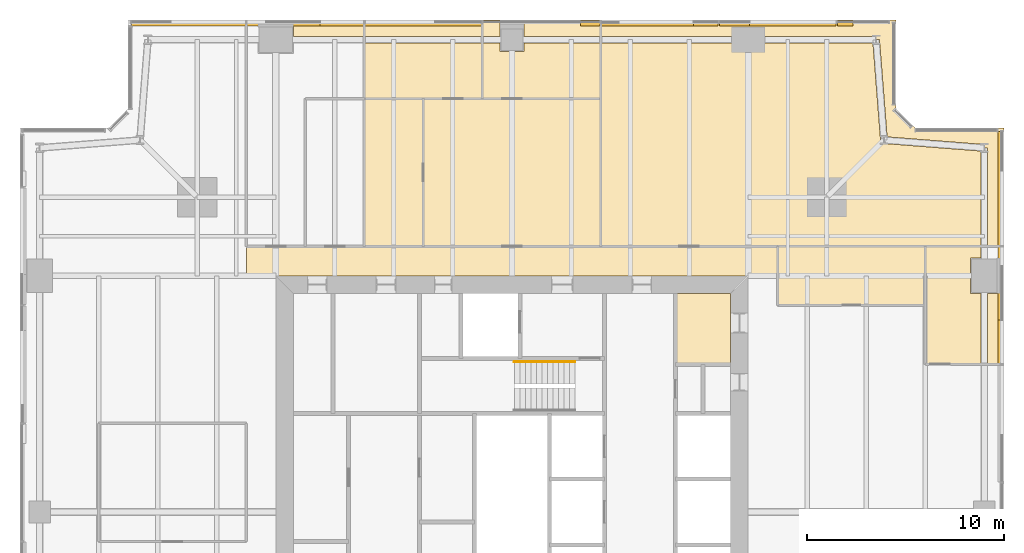
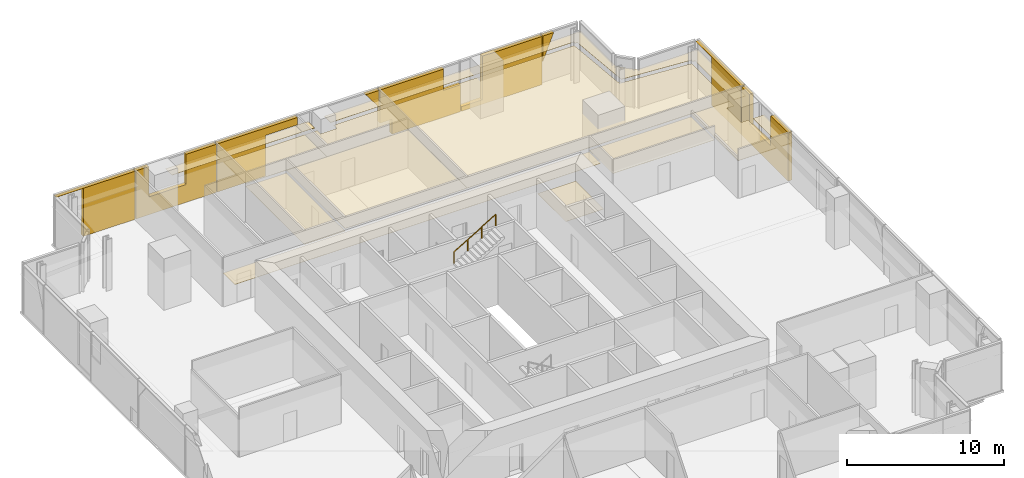
# One storey, part 14 of 14: 24 coverings, 1 railing.
"""IFC4 building model written with IfcOpenShell, lengths in metres."""

from ifc_helpers import new_model, si_unit, direction, frame, origin, origin_2d, place, context, subcontext, project, spatial, polyline, circle, outline, extrude, material, layer, layer_set, type_object, element, save


model = new_model("IFC4")

# Units and contexts
model_context = context("Model", 3, precision=1e-05, world=origin(), true_north=direction((0.0, 1.0)))
body_context = subcontext(model_context, "Body", "Model", "MODEL_VIEW")
ifc_project = project(units=[si_unit("LENGTHUNIT", "METRE"), si_unit("AREAUNIT", "SQUARE_METRE"), si_unit("VOLUMEUNIT", "CUBIC_METRE"), si_unit("PLANEANGLEUNIT", "RADIAN"), si_unit("MASSUNIT", "GRAM", prefix="KILO")], contexts=[model_context])

# Site, building, storey
site_placement = place(None, origin())
site = spatial("IfcSite", under=ifc_project, at=site_placement, CompositionType="ELEMENT")
building_placement = place(site_placement, origin())
building = spatial("IfcBuilding", under=site, at=building_placement, Name="Fenwick Lantern Interchange", CompositionType="ELEMENT")
storey_placement = place(building_placement, frame((0.0, 0.0, 205.800048828125)))
storey = spatial("IfcBuildingStorey", under=building, at=storey_placement, Name="L48", CompositionType="ELEMENT", Elevation=205.800048828125)

# Coverings
ifc_material_1 = material(Name="Mineral fibre acoustic tile on suspended grid")
ifc_layer_1 = layer(ifc_material_1, 0.02001953125)
ifc_layer_set_1 = layer_set([ifc_layer_1], Name="ACOUSTIC TILE CEILING 20")
covering_type_1 = type_object("IfcCoveringType", Name="ACOUSTIC TILE CEILING 20", PredefinedType="CEILING", material=ifc_layer_set_1)
covering_1_placement = place(storey_placement, frame((0.0, 0.0, 2.89990234375)))
element("IfcCovering", 1, at=covering_1_placement, inside=storey, type_object=covering_type_1, Name="Meeting room ceiling", PredefinedType="CEILING", context=body_context, shape_type="SweptSolid", body=[
    extrude(outline(polyline([(46.0, 32.5), (48.82763671875, 32.5), (48.82763671875, 36.10009765625), (48.300048828125, 36.10009765625), (48.300048828125, 37.89990234375), (48.82763671875, 37.89990234375), (48.82763671875, 38.5), (46.0, 38.5), (46.0, 32.5)])), origin(), (0.0, 0.0, 1.0), 0.02001953125),
])
covering_2_placement = place(storey_placement, frame((0.0, 0.0, 2.89990234375)))
element("IfcCovering", 2, at=covering_2_placement, inside=storey, type_object=covering_type_1, Name="Meeting room ceiling", PredefinedType="CEILING", context=body_context, shape_type="SweptSolid", body=[
    extrude(outline(polyline([(49.17236328125, 32.5), (50.0, 32.5), (50.0, 36.10009765625), (49.17236328125, 36.10009765625), (49.17236328125, 32.5)])), origin(), (0.0, 0.0, 1.0), 0.02001953125),
])
covering_3_placement = place(storey_placement, frame((0.0, 0.0, 2.89990234375)))
element("IfcCovering", 3, at=covering_3_placement, inside=storey, type_object=covering_type_1, Name="Meeting room ceiling", PredefinedType="CEILING", context=body_context, shape_type="SweptSolid", body=[
    extrude(outline(polyline([(29.5, 46.0), (29.5, 48.82763671875), (25.60009765625, 48.82763671875), (25.60009765625, 48.39990234375), (24.39990234375, 48.39990234375), (24.39990234375, 48.82763671875), (23.5, 48.82763671875), (23.5, 46.0), (29.5, 46.0)])), origin(), (0.0, 0.0, 1.0), 0.02001953125),
])
covering_4_placement = place(storey_placement, frame((0.0, 0.0, 2.89990234375)))
element("IfcCovering", 4, at=covering_4_placement, inside=storey, type_object=covering_type_1, Name="Meeting room ceiling", PredefinedType="CEILING", context=body_context, shape_type="SweptSolid", body=[
    extrude(outline(polyline([(29.5, 49.17236328125), (29.5, 50.0), (25.60009765625, 50.0), (25.60009765625, 49.17236328125), (29.5, 49.17236328125)])), origin(), (0.0, 0.0, 1.0), 0.02001953125),
])
covering_5_placement = place(storey_placement, frame((0.0, 0.0, 2.89990234375)))
element("IfcCovering", 5, at=covering_5_placement, inside=storey, type_object=covering_type_1, Name="Meeting room ceiling", PredefinedType="CEILING", context=body_context, shape_type="SweptSolid", body=[
    extrude(outline(polyline([(23.5, 50.0), (23.5, 49.17236328125), (24.39990234375, 49.17236328125), (24.39990234375, 50.0), (23.5, 50.0)])), origin(), (0.0, 0.0, 1.0), 0.02001953125),
])
covering_6_placement = place(storey_placement, frame((0.0, 0.0, 2.89990234375)))
element("IfcCovering", 6, at=covering_6_placement, inside=storey, type_object=covering_type_1, Name="Meeting room ceiling", PredefinedType="CEILING", context=body_context, shape_type="SweptSolid", body=[
    extrude(outline(polyline([(23.5, 46.0), (23.5, 48.82763671875), (17.5, 48.82763671875), (17.5, 46.0), (23.5, 46.0)])), origin(), (0.0, 0.0, 1.0), 0.02001953125),
])
covering_7_placement = place(storey_placement, frame((0.0, 0.0, 2.89990234375)))
element("IfcCovering", 7, at=covering_7_placement, inside=storey, type_object=covering_type_1, Name="Meeting room ceiling", PredefinedType="CEILING", context=body_context, shape_type="SweptSolid", body=[
    extrude(outline(polyline([(17.5, 50.0), (17.5, 49.17236328125), (23.5, 49.17236328125), (23.5, 50.0), (17.5, 50.0)])), origin(), (0.0, 0.0, 1.0), 0.02001953125),
])
covering_8_placement = place(storey_placement, frame((0.0, 0.0, 2.89990234375)))
element("IfcCovering", 8, at=covering_8_placement, inside=storey, type_object=covering_type_1, Name="Open office ceiling", PredefinedType="CEILING", context=body_context, shape_type="SweptSolid", body=[
    extrude(outline(polyline([(29.5, 38.5), (48.82763671875, 38.5), (48.82763671875, 43.340576171875), (43.886474609375, 43.72802734375), (43.89990234375, 43.89990234375), (43.72802734375, 43.886474609375), (43.340576171875, 48.82763671875), (37.0, 48.82763671875), (29.5, 48.82763671875), (29.5, 38.5)])), origin(), (0.0, 0.0, 1.0), 0.02001953125),
])
covering_9_placement = place(storey_placement, frame((0.0, 0.0, 2.89990234375)))
element("IfcCovering", 9, at=covering_9_placement, inside=storey, type_object=covering_type_1, Name="Open office ceiling", PredefinedType="CEILING", context=body_context, shape_type="SweptSolid", body=[
    extrude(outline(polyline([(44.5, 50.0), (29.5, 50.0), (29.5, 49.17236328125), (37.0, 49.17236328125), (43.5, 49.17236328125), (43.5, 49.0), (43.671875, 49.013427734375), (44.060302734375, 44.060302734375), (49.013427734375, 43.671875), (49.0, 43.5), (49.17236328125, 43.5), (49.17236328125, 38.5), (50.0, 38.5), (50.0, 44.5), (45.5, 44.5), (44.5, 45.5), (44.5, 50.0)])), origin(), (0.0, 0.0, 1.0), 0.02001953125),
])
covering_10_placement = place(storey_placement, frame((0.0, 0.0, 2.89990234375)))
element("IfcCovering", 10, at=covering_10_placement, inside=storey, type_object=covering_type_1, Name="Meeting room ceiling", PredefinedType="CEILING", context=body_context, shape_type="SweptSolid", body=[
    extrude(outline(polyline([(13.89990234375, 50.0), (13.89990234375, 49.17236328125), (17.5, 49.17236328125), (17.5, 50.0), (13.89990234375, 50.0)])), origin(), (0.0, 0.0, 1.0), 0.02001953125),
])
ifc_material_2 = material(Name="Granite cladding, warm grey flamed finish, on aluminium carrier frame", Category="masonry")
ifc_layer_2 = layer(ifc_material_2, 0.300048828125)
ifc_layer_set_2 = layer_set([ifc_layer_2], Name="BRACE CASING PANEL 300")
covering_type_2 = type_object("IfcCoveringType", Name="BRACE CASING PANEL 300", PredefinedType="CLADDING", material=ifc_layer_set_2)
covering_11_placement = place(storey_placement, frame((49.89990234375, 5.60009765625, 0.0), z_axis=(0.0, 0.0, 1.0), x_axis=(0.0, 1.0, 0.0)))
element("IfcCovering", 11, at=covering_11_placement, inside=storey, type_object=covering_type_2, Name="Brace casing 05 bay 05a", PredefinedType="CLADDING", context=body_context, shape_type="SweptSolid", body=[
    extrude(outline(polyline([(26.9326171875, 0.0), (32.867431640625, 0.0), (32.867431640625, 3.75), (31.89306640625, 3.75), (31.89306640625, 1.389892578125), (29.153076171875, 1.389892578125), (29.153076171875, 3.75), (26.9326171875, 3.75), (26.9326171875, 0.0)])), frame((0.0, 0.2001953125, 0.0), z_axis=(0.0, -1.0, 0.0), x_axis=(1.0, 0.0, 0.0)), (0.0, 0.0, 1.0), 0.300048828125),
])
covering_12_placement = place(storey_placement, frame((49.89990234375, 5.60009765625, 0.0), z_axis=(0.0, 0.0, 1.0), x_axis=(0.0, 1.0, 0.0)))
element("IfcCovering", 12, at=covering_12_placement, inside=storey, type_object=covering_type_2, Name="Brace casing 05 bay 06a", PredefinedType="CLADDING", context=body_context, shape_type="SweptSolid", body=[
    extrude(outline(polyline([(32.9326171875, 0.0), (36.734130859375, 0.0), (36.734130859375, 3.741455078125), (38.735107421875, 3.741455078125), (38.735107421875, 3.75), (32.9326171875, 3.75), (32.9326171875, 0.0)])), frame((0.0, 0.2001953125, 0.0), z_axis=(0.0, -1.0, 0.0), x_axis=(1.0, 0.0, 0.0)), (0.0, 0.0, 1.0), 0.300048828125),
])
covering_13_placement = place(storey_placement, frame((44.39990234375, 49.89990234375, 1.7685546875), z_axis=(0.0, 0.0, 1.0), x_axis=(-1.0, 0.0, 0.0)))
element("IfcCovering", 13, at=covering_13_placement, inside=storey, type_object=covering_type_2, Name="Brace casing 09 bay 00a", PredefinedType="CLADDING", context=body_context, shape_type="SweptSolid", body=[
    extrude(outline(polyline([(2.867431640625, 0.0), (2.867431640625, 1.9814453125), (2.0625, 1.9814453125), (2.867431640625, 0.0)])), frame((0.0, 0.2001953125, 0.0), z_axis=(0.0, -1.0, 0.0), x_axis=(1.0, 0.0, 0.0)), (0.0, 0.0, 1.0), 0.300048828125),
])
covering_14_placement = place(storey_placement, frame((44.39990234375, 49.89990234375, 0.0), z_axis=(0.0, 0.0, 1.0), x_axis=(-1.0, 0.0, 0.0)))
element("IfcCovering", 14, at=covering_14_placement, inside=storey, type_object=covering_type_2, Name="Brace casing 09 bay 01a", PredefinedType="CLADDING", context=body_context, shape_type="SweptSolid", body=[
    extrude(outline(polyline([(2.9326171875, 0.0), (8.867431640625, 0.0), (8.867431640625, 0.35302734375), (7.328125, 0.35302734375), (7.328125, 3.75), (2.9326171875, 3.75), (2.9326171875, 0.0)])), frame((0.0, 0.2001953125, 0.0), z_axis=(0.0, -1.0, 0.0), x_axis=(1.0, 0.0, 0.0)), (0.0, 0.0, 1.0), 0.300048828125),
])
covering_15_placement = place(storey_placement, frame((44.39990234375, 49.89990234375, 0.0), z_axis=(0.0, 0.0, 1.0), x_axis=(-1.0, 0.0, 0.0)))
element("IfcCovering", 15, at=covering_15_placement, inside=storey, type_object=covering_type_2, Name="Brace casing 09 bay 02a", PredefinedType="CLADDING", context=body_context, shape_type="SweptSolid", body=[
    extrude(outline(polyline([(8.9326171875, 0.0), (13.984375, 0.0), (13.984375, 1.17333984375), (14.867431640625, 1.17333984375), (14.867431640625, 3.75), (10.172607421875, 3.75), (10.172607421875, 2.090576171875), (8.9326171875, 2.090576171875), (8.9326171875, 0.0)])), frame((0.0, 0.2001953125, 0.0), z_axis=(0.0, -1.0, 0.0), x_axis=(1.0, 0.0, 0.0)), (0.0, 0.0, 1.0), 0.300048828125),
])
covering_16_placement = place(storey_placement, frame((44.39990234375, 49.89990234375, 2.437255859375), z_axis=(0.0, 0.0, 1.0), x_axis=(-1.0, 0.0, 0.0)))
element("IfcCovering", 16, at=covering_16_placement, inside=storey, type_object=covering_type_2, Name="Brace casing 09 bay 03a", PredefinedType="CLADDING", context=body_context, shape_type="SweptSolid", body=[
    extrude(outline(polyline([(14.9326171875, 0.0), (15.9169921875, 1.312744140625), (14.9326171875, 1.312744140625), (14.9326171875, 0.0)])), frame((0.0, 0.2001953125, 0.0), z_axis=(0.0, -1.0, 0.0), x_axis=(1.0, 0.0, 0.0)), (0.0, 0.0, 1.0), 0.300048828125),
])
covering_17_placement = place(storey_placement, frame((44.39990234375, 49.89990234375, 0.0), z_axis=(0.0, 0.0, 1.0), x_axis=(-1.0, 0.0, 0.0)))
element("IfcCovering", 17, at=covering_17_placement, inside=storey, type_object=covering_type_2, Name="Brace casing 09 bay 04a", PredefinedType="CLADDING", context=body_context, shape_type="SweptSolid", body=[
    extrude(outline(polyline([(23.3125, 0.0), (26.867431640625, 0.0), (26.867431640625, 3.75), (20.9326171875, 3.75), (20.9326171875, 3.17724609375), (23.3125, 3.17724609375), (23.3125, 0.0)])), frame((0.0, 0.2001953125, 0.0), z_axis=(0.0, -1.0, 0.0), x_axis=(1.0, 0.0, 0.0)), (0.0, 0.0, 1.0), 0.300048828125),
])
covering_18_placement = place(storey_placement, frame((44.39990234375, 49.89990234375, 0.0), z_axis=(0.0, 0.0, 1.0), x_axis=(-1.0, 0.0, 0.0)))
element("IfcCovering", 18, at=covering_18_placement, inside=storey, type_object=covering_type_2, Name="Brace casing 09 bay 05a", PredefinedType="CLADDING", context=body_context, shape_type="SweptSolid", body=[
    extrude(outline(polyline([(26.9326171875, 0.0), (32.867431640625, 0.0), (32.867431640625, 3.75), (31.89306640625, 3.75), (31.89306640625, 1.389892578125), (29.153076171875, 1.389892578125), (29.153076171875, 3.75), (26.9326171875, 3.75), (26.9326171875, 0.0)])), frame((0.0, 0.2001953125, 0.0), z_axis=(0.0, -1.0, 0.0), x_axis=(1.0, 0.0, 0.0)), (0.0, 0.0, 1.0), 0.300048828125),
])
covering_19_placement = place(storey_placement, frame((44.39990234375, 49.89990234375, 0.0), z_axis=(0.0, 0.0, 1.0), x_axis=(-1.0, 0.0, 0.0)))
element("IfcCovering", 19, at=covering_19_placement, inside=storey, type_object=covering_type_2, Name="Brace casing 09 bay 06a", PredefinedType="CLADDING", context=body_context, shape_type="SweptSolid", body=[
    extrude(outline(polyline([(32.9326171875, 0.0), (36.734130859375, 0.0), (36.734130859375, 3.741455078125), (38.735107421875, 3.741455078125), (38.735107421875, 3.75), (32.9326171875, 3.75), (32.9326171875, 0.0)])), frame((0.0, 0.2001953125, 0.0), z_axis=(0.0, -1.0, 0.0), x_axis=(1.0, 0.0, 0.0)), (0.0, 0.0, 1.0), 0.300048828125),
])

# Railing
ifc_material_3 = material(Name="Stainless steel handrail", Category="steel")
railing_type = type_object("IfcRailingType", Name="HANDRAIL 900", PredefinedType="HANDRAIL", material=ifc_material_3)
railing_placement = place(storey_placement, frame((25.1201171875, 32.6259765625, 2.16650390625)))
element("IfcRailing", 20, at=railing_placement, inside=storey, type_object=railing_type, Name="L48/STAIR/ST2/HR2", PredefinedType="HANDRAIL", context=body_context, shape_type="SweptSolid", body=[
    extrude(circle(Radius=0.02392578125, at=origin_2d()), frame((0.0, 0.0, 0.8759765625), z_axis=(0.859260807169, 0.0, 0.511537745687), x_axis=(0.0, 1.0, 0.0)), (0.0, 0.0, 1.0), 3.584228515625),
    extrude(circle(Radius=0.02099609375, at=origin_2d()), origin(), (0.0, 0.0, 1.0), 0.851806640625),
    extrude(circle(Radius=0.02099609375, at=origin_2d()), frame((1.026611328125, 0.0, 0.611083984375)), (0.0, 0.0, 1.0), 0.851806640625),
    extrude(circle(Radius=0.02099609375, at=origin_2d()), frame((2.05322265625, 0.0, 1.222412109375)), (0.0, 0.0, 1.0), 0.851806640625),
    extrude(circle(Radius=0.02099609375, at=origin_2d()), frame((3.079833984375, 0.0, 1.83349609375)), (0.0, 0.0, 1.0), 0.851806640625),
])

# Coverings
ifc_material_4 = material(Name="Moisture resistant gypsum board on suspended frame, painted")
ifc_layer_3 = layer(ifc_material_4, 0.014892578125)
ifc_layer_set_3 = layer_set([ifc_layer_3], Name="MOISTURE RESISTANT CEILING 15")
covering_type_3 = type_object("IfcCoveringType", Name="MOISTURE RESISTANT CEILING 15", PredefinedType="CEILING", material=ifc_layer_set_3)
covering_20_placement = place(storey_placement, frame((0.0, 0.0, 2.599853515625)))
element("IfcCovering", 21, at=covering_20_placement, inside=storey, type_object=covering_type_3, Name="Accessible WC and shower ceiling", PredefinedType="CEILING", context=body_context, shape_type="SweptSolid", body=[
    extrude(outline(polyline([(36.10009765625, 36.10009765625), (33.300048828125, 36.10009765625), (33.300048828125, 32.5), (36.10009765625, 32.5), (36.10009765625, 36.10009765625)])), origin(), (0.0, 0.0, 1.0), 0.01513671875),
])
covering_21_placement = place(storey_placement, frame((0.0, 0.0, 2.699951171875)))
element("IfcCovering", 22, at=covering_21_placement, inside=storey, type_object=covering_type_3, Name="Pantry ceiling", PredefinedType="CEILING", context=body_context, shape_type="SweptSolid", body=[
    extrude(outline(polyline([(46.0, 35.5), (46.0, 38.5), (38.5, 38.5), (38.5, 35.5), (46.0, 35.5)])), origin(), (0.0, 0.0, 1.0), 0.014892578125),
])
covering_22_placement = place(storey_placement, frame((0.0, 0.0, 2.699951171875)))
element("IfcCovering", 23, at=covering_22_placement, inside=storey, type_object=covering_type_3, Name="Pantry ceiling", PredefinedType="CEILING", context=body_context, shape_type="SweptSolid", body=[
    extrude(outline(polyline([(20.5, 46.0), (17.5, 46.0), (17.5, 38.5), (20.5, 38.5), (20.5, 46.0)])), origin(), (0.0, 0.0, 1.0), 0.014892578125),
])
ifc_material_5 = material(Name="Gypsum plasterboard on suspended frame, painted")
ifc_layer_4 = layer(ifc_material_5, 0.014892578125)
ifc_layer_set_4 = layer_set([ifc_layer_4], Name="PLASTERBOARD CEILING 15")
covering_type_4 = type_object("IfcCoveringType", Name="PLASTERBOARD CEILING 15", PredefinedType="CEILING", material=ifc_layer_set_4)
covering_23_placement = place(storey_placement, frame((0.0, 0.0, 2.89990234375)))
element("IfcCovering", 24, at=covering_23_placement, inside=storey, type_object=covering_type_4, Name="Reception ceiling", PredefinedType="CEILING", context=body_context, shape_type="SweptSolid", body=[
    extrude(outline(polyline([(29.5, 46.0), (20.5, 46.0), (20.5, 38.5), (29.5, 38.5), (29.5, 46.0)])), origin(), (0.0, 0.0, 1.0), 0.01513671875),
])
covering_24_placement = place(storey_placement, frame((0.0, 0.0, 2.599853515625)))
element("IfcCovering", 25, at=covering_24_placement, inside=storey, type_object=covering_type_4, Name="Corridor ceiling", PredefinedType="CEILING", context=body_context, shape_type="SweptSolid", body=[
    extrude(outline(polyline([(11.5, 38.5), (11.5, 37.0), (38.5, 37.0), (38.5, 38.5), (11.5, 38.5)])), origin(), (0.0, 0.0, 1.0), 0.01513671875),
])

save(model, "model.ifc")
